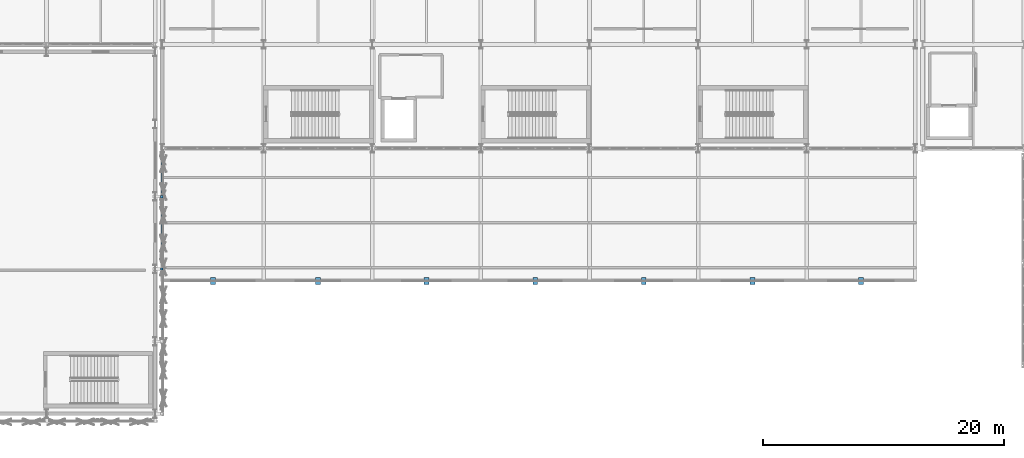
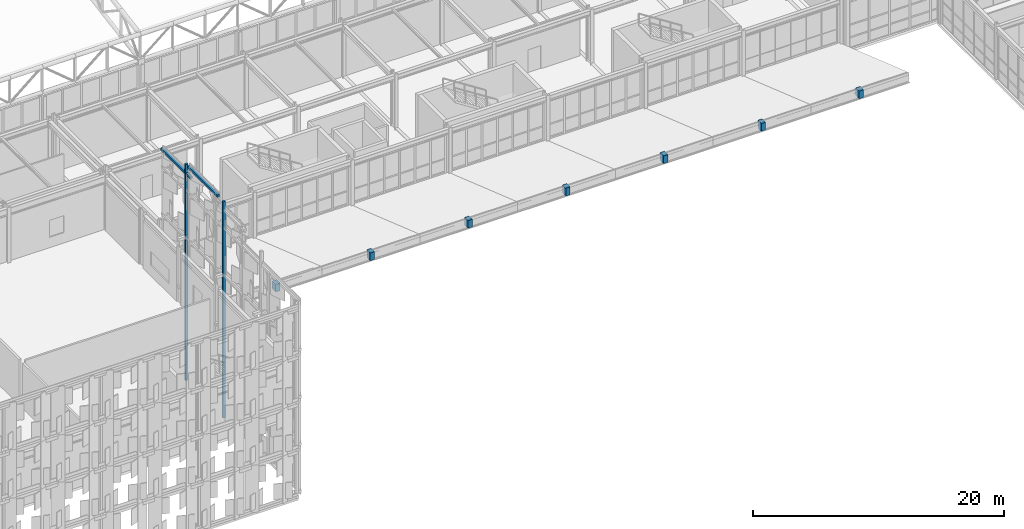
# One storey, part 209 of 239: 11 discrete accessories.
"""IFC4 building model written with IfcOpenShell, lengths in metres."""

from ifc_helpers import new_model, si_unit, direction, frame, origin, origin_2d, place, context, subcontext, project, spatial, rectangle, extrude, material, type_object, element, save


model = new_model("IFC4")

# Units and contexts
model_context = context("Model", 3, precision=1e-05, world=origin(), true_north=direction((0.0, 1.0)))
body_context = subcontext(model_context, "Body", "Model", "MODEL_VIEW")
ifc_project = project(units=[si_unit("LENGTHUNIT", "METRE"), si_unit("AREAUNIT", "SQUARE_METRE"), si_unit("VOLUMEUNIT", "CUBIC_METRE"), si_unit("PLANEANGLEUNIT", "RADIAN"), si_unit("MASSUNIT", "GRAM", prefix="KILO")], contexts=[model_context])

# Site, building, storey
site_placement = place(None, origin())
site = spatial("IfcSite", under=ifc_project, at=site_placement, CompositionType="ELEMENT")
building_placement = place(site_placement, origin())
building = spatial("IfcBuilding", under=site, at=building_placement, Name="Kaldris Quays Convention Centre", CompositionType="ELEMENT")
storey_placement = place(building_placement, frame((0.0, 0.0, 11.39990234375)))
storey = spatial("IfcBuildingStorey", under=building, at=storey_placement, Name="L02", CompositionType="ELEMENT", Elevation=11.39990234375)

# Discrete accessories
ifc_material = material(Name="Steel S355J2", Category="steel")
discrete_accessory_type = type_object("IfcDiscreteAccessoryType", Name="SCREEN OUTRIGGER BRACKET BK01", PredefinedType="BRACKET", material=ifc_material)
for number, where, z_axis, x_axis, name in (
    (1, (83.56005859375, 28.0, -7.669921875), (0.0, 0.0, 1.0), (0.0, 1.0, 0.0), "V3E Screen Vertical Carrier Mullion 549"),
    (2, (83.56005859375, 34.0, -7.669921875), (0.0, 0.0, 1.0), (0.0, 1.0, 0.0), "V3E Screen Vertical Carrier Mullion 554"),
):
    element("IfcDiscreteAccessory", number, at=place(storey_placement, frame(where, z_axis=z_axis, x_axis=x_axis)), inside=storey, type_object=discrete_accessory_type, Name=name, PredefinedType="BRACKET", context=body_context, shape_type="SweptSolid", body=[
        extrude(rectangle(XDim=0.199951171875, YDim=0.219970703125, at=origin_2d()), origin(), (0.0, 0.0, 1.0), 21.0400390625),
    ])
for number, where, z_axis, x_axis, name in (
    (3, (83.580078125, 31.280029296875, 13.19189453125), (0.0, 0.0, 1.0), (0.0, 1.0, 0.0), "V3E Gable Screen Cap Rail 565"),
    (4, (83.580078125, 35.56005859375, 12.3359375), (0.0, 0.0, 1.0), (0.0, 1.0, 0.0), "V3E Gable Screen Cap Rail 566"),
):
    element("IfcDiscreteAccessory", number, at=place(storey_placement, frame(where, z_axis=z_axis, x_axis=x_axis)), inside=storey, type_object=discrete_accessory_type, Name=name, PredefinedType="BRACKET", context=body_context, shape_type="SweptSolid", body=[
        extrude(rectangle(XDim=4.72998046875, YDim=0.219970703125, at=origin_2d()), origin(), (0.0, 0.0, 1.0), 0.219970703125),
    ])
for number, where, z_axis, x_axis, name in (
    (5, (87.800048828125, 27.0, 3.86279296875), (0.0, 0.0, 1.0), (1.0, 0.0, 0.0), "WR-SOUTH-ENTRY Wing Eave Fascia Bracket 10"),
    (6, (96.5, 27.0, 3.86279296875), (0.0, 0.0, 1.0), (1.0, 0.0, 0.0), "WR-SOUTH-ENTRY Wing Eave Fascia Bracket 11"),
    (7, (105.5, 27.0, 3.86279296875), (0.0, 0.0, 1.0), (1.0, 0.0, 0.0), "WR-SOUTH-ENTRY Wing Eave Fascia Bracket 12"),
    (8, (114.5, 27.0, 3.86279296875), (0.0, 0.0, 1.0), (1.0, 0.0, 0.0), "WR-SOUTH-ENTRY Wing Eave Fascia Bracket 13"),
    (9, (123.5, 27.0, 3.86279296875), (0.0, 0.0, 1.0), (1.0, 0.0, 0.0), "WR-SOUTH-ENTRY Wing Eave Fascia Bracket 14"),
    (10, (132.5, 27.0, 3.86279296875), (0.0, 0.0, 1.0), (1.0, 0.0, 0.0), "WR-SOUTH-ENTRY Wing Eave Fascia Bracket 15"),
    (11, (141.5, 27.0, 3.86279296875), (0.0, 0.0, 1.0), (1.0, 0.0, 0.0), "WR-SOUTH-ENTRY Wing Eave Fascia Bracket 16"),
):
    element("IfcDiscreteAccessory", number, at=place(storey_placement, frame(where, z_axis=z_axis, x_axis=x_axis)), inside=storey, type_object=discrete_accessory_type, Name=name, PredefinedType="BRACKET", context=body_context, shape_type="SweptSolid", body=[
        extrude(rectangle(XDim=0.39990234375, YDim=0.550048828125, at=origin_2d()), origin(), (0.0, 0.0, 1.0), 0.75),
    ])

save(model, "model.ifc")
